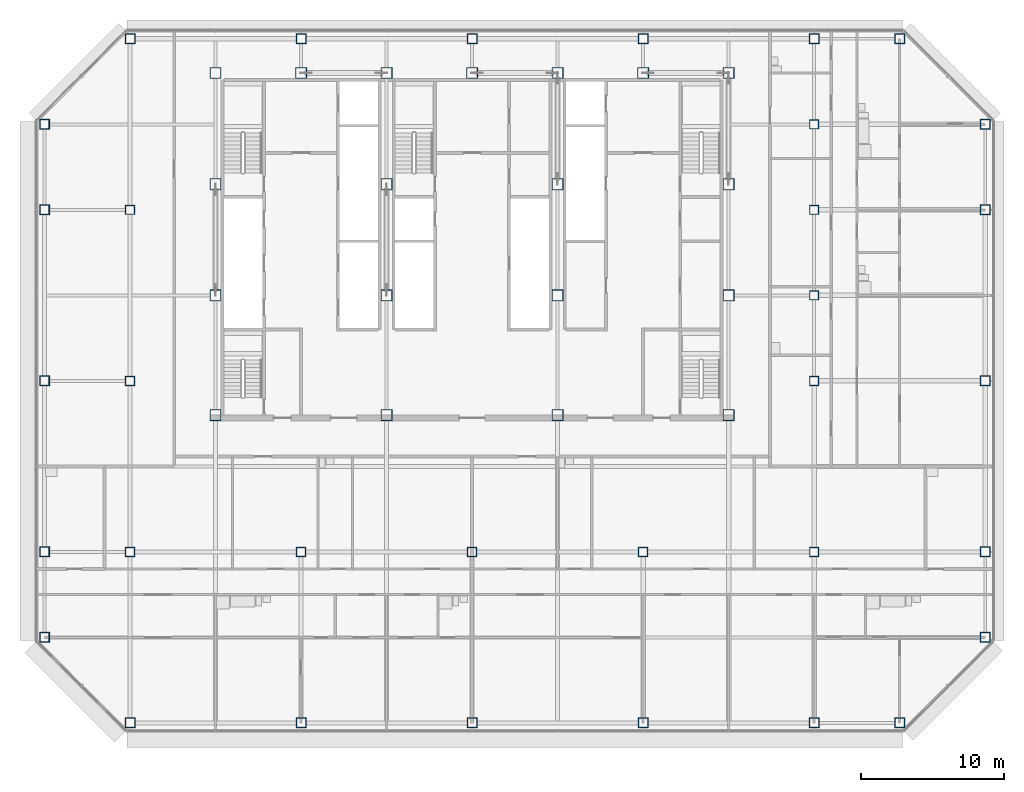
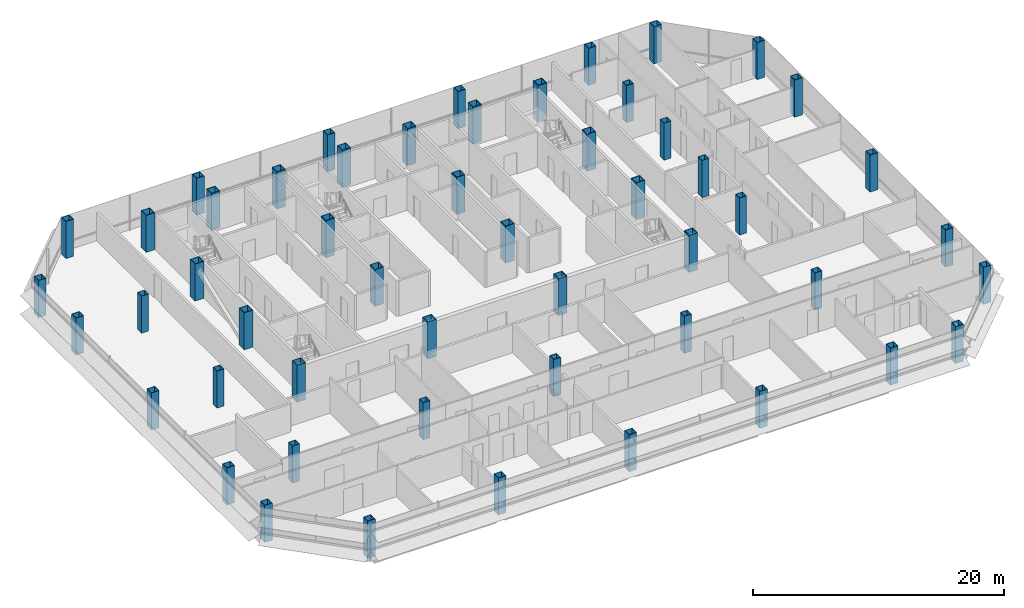
# One storey, part 1 of 26: 52 columns.
"""IFC4 building model written with IfcOpenShell, lengths in metres."""

from ifc_helpers import new_model, si_unit, direction, frame, origin, origin_2d, place, context, subcontext, project, spatial, hollow_rectangle, extrude, material, material_profile, profile_set, type_object, element, save


model = new_model("IFC4")

# Units and contexts
model_context = context("Model", 3, precision=1e-05, world=origin(), true_north=direction((0.0, 1.0)))
body_context = subcontext(model_context, "Body", "Model", "MODEL_VIEW")
ifc_project = project(units=[si_unit("LENGTHUNIT", "METRE"), si_unit("AREAUNIT", "SQUARE_METRE"), si_unit("VOLUMEUNIT", "CUBIC_METRE"), si_unit("PLANEANGLEUNIT", "RADIAN"), si_unit("MASSUNIT", "GRAM", prefix="KILO")], contexts=[model_context])

# Site, building, storey
site_placement = place(None, origin())
site = spatial("IfcSite", under=ifc_project, at=site_placement, CompositionType="ELEMENT")
building_placement = place(site_placement, origin())
building = spatial("IfcBuilding", under=site, at=building_placement, Name="Sorahane Residences", CompositionType="ELEMENT")
storey_placement = place(building_placement, frame((0.0, 0.0, 151.0)))
storey = spatial("IfcBuildingStorey", under=building, at=storey_placement, Name="L34", CompositionType="ELEMENT", Elevation=151.0)

# Columns
ifc_material_1 = material(Name="Steel Q355B", Category="steel")
ifc_material_profile_1 = material_profile(ifc_material_1, hollow_rectangle(XDim=0.64990234375, YDim=0.64990234375, WallThickness=0.031982421875, at=origin_2d()), Name="BOX 650x650x32")
ifc_profile_set_1 = profile_set([ifc_material_profile_1], Name="Steel Q355B")
column_type_1 = type_object("IfcColumnType", Name="Steel box column BOX 650x650x32 Q355B", PredefinedType="COLUMN", material=ifc_profile_set_1)
for number, where, z_axis, x_axis, name in (
    (1, (0.0, 12.0, 0.0), (0.0, 0.0, 1.0), (1.0, 0.0, 0.0), "Column L34 0/12"),
    (2, (0.0, 24.0, 0.0), (0.0, 0.0, 1.0), (1.0, 0.0, 0.0), "Column L34 0/24"),
    (3, (0.0, 36.0, 0.0), (0.0, 0.0, 1.0), (1.0, 0.0, 0.0), "Column L34 0/36"),
    (4, (12.0, 12.0, 0.0), (0.0, 0.0, 1.0), (1.0, 0.0, 0.0), "Column L34 12/12"),
    (5, (24.0, 12.0, 0.0), (0.0, 0.0, 1.0), (1.0, 0.0, 0.0), "Column L34 24/12"),
    (6, (36.0, 12.0, 0.0), (0.0, 0.0, 1.0), (1.0, 0.0, 0.0), "Column L34 36/12"),
    (7, (48.0, 12.0, 0.0), (0.0, 0.0, 1.0), (1.0, 0.0, 0.0), "Column L34 48/12"),
    (8, (48.0, 24.0, 0.0), (0.0, 0.0, 1.0), (1.0, 0.0, 0.0), "Column L34 48/24"),
    (9, (48.0, 30.0, 0.0), (0.0, 0.0, 1.0), (1.0, 0.0, 0.0), "Column L34 48/30"),
    (10, (48.0, 36.0, 0.0), (0.0, 0.0, 1.0), (1.0, 0.0, 0.0), "Column L34 48/36"),
    (11, (48.0, 42.0, 0.0), (0.0, 0.0, 1.0), (1.0, 0.0, 0.0), "Column L34 48/42"),
):
    element("IfcColumn", number, at=place(storey_placement, frame(where, z_axis=z_axis, x_axis=x_axis)), inside=storey, type_object=column_type_1, Name=name, PredefinedType="COLUMN", context=body_context, shape_type="SweptSolid", body=[
        extrude(hollow_rectangle(XDim=0.64990234375, YDim=0.64990234375, WallThickness=0.031982421875, at=origin_2d()), origin(), (0.0, 0.0, 1.0), 3.60009765625),
    ])
ifc_material_2 = material(Name="Steel Q355B", Category="steel")
ifc_material_profile_2 = material_profile(ifc_material_2, hollow_rectangle(XDim=0.699951171875, YDim=0.699951171875, WallThickness=0.035888671875, at=origin_2d()), Name="BOX 700x700x36")
ifc_profile_set_2 = profile_set([ifc_material_profile_2], Name="Steel Q355B")
column_type_2 = type_object("IfcColumnType", Name="Steel box column BOX 700x700x36 Q355B", PredefinedType="COLUMN", material=ifc_profile_set_2)
for number, where, z_axis, x_axis, name in (
    (12, (-6.0, 6.0, 0.0), (0.0, 0.0, 1.0), (1.0, 0.0, 0.0), "Column L34 m6/6"),
    (13, (-6.0, 12.0, 0.0), (0.0, 0.0, 1.0), (1.0, 0.0, 0.0), "Column L34 m6/12"),
    (14, (-6.0, 24.0, 0.0), (0.0, 0.0, 1.0), (1.0, 0.0, 0.0), "Column L34 m6/24"),
    (15, (-6.0, 36.0, 0.0), (0.0, 0.0, 1.0), (1.0, 0.0, 0.0), "Column L34 m6/36"),
    (16, (-6.0, 42.0, 0.0), (0.0, 0.0, 1.0), (1.0, 0.0, 0.0), "Column L34 m6/42"),
    (17, (0.0, 0.0, 0.0), (0.0, 0.0, 1.0), (1.0, 0.0, 0.0), "Column L34 0/0"),
    (18, (0.0, 48.0, 0.0), (0.0, 0.0, 1.0), (1.0, 0.0, 0.0), "Column L34 0/48"),
    (19, (12.0, 0.0, 0.0), (0.0, 0.0, 1.0), (1.0, 0.0, 0.0), "Column L34 12/0"),
    (20, (12.0, 48.0, 0.0), (0.0, 0.0, 1.0), (1.0, 0.0, 0.0), "Column L34 12/48"),
    (21, (24.0, 0.0, 0.0), (0.0, 0.0, 1.0), (1.0, 0.0, 0.0), "Column L34 24/0"),
    (22, (24.0, 48.0, 0.0), (0.0, 0.0, 1.0), (1.0, 0.0, 0.0), "Column L34 24/48"),
    (23, (36.0, 0.0, 0.0), (0.0, 0.0, 1.0), (1.0, 0.0, 0.0), "Column L34 36/0"),
    (24, (36.0, 48.0, 0.0), (0.0, 0.0, 1.0), (1.0, 0.0, 0.0), "Column L34 36/48"),
    (25, (48.0, 0.0, 0.0), (0.0, 0.0, 1.0), (1.0, 0.0, 0.0), "Column L34 48/0"),
    (26, (48.0, 48.0, 0.0), (0.0, 0.0, 1.0), (1.0, 0.0, 0.0), "Column L34 48/48"),
    (27, (54.0, 0.0, 0.0), (0.0, 0.0, 1.0), (1.0, 0.0, 0.0), "Column L34 54/0"),
    (28, (54.0, 48.0, 0.0), (0.0, 0.0, 1.0), (1.0, 0.0, 0.0), "Column L34 54/48"),
    (29, (60.0, 6.0, 0.0), (0.0, 0.0, 1.0), (1.0, 0.0, 0.0), "Column L34 60/6"),
    (30, (60.0, 12.0, 0.0), (0.0, 0.0, 1.0), (1.0, 0.0, 0.0), "Column L34 60/12"),
    (31, (60.0, 24.0, 0.0), (0.0, 0.0, 1.0), (1.0, 0.0, 0.0), "Column L34 60/24"),
    (32, (60.0, 36.0, 0.0), (0.0, 0.0, 1.0), (1.0, 0.0, 0.0), "Column L34 60/36"),
    (33, (60.0, 42.0, 0.0), (0.0, 0.0, 1.0), (1.0, 0.0, 0.0), "Column L34 60/42"),
):
    element("IfcColumn", number, at=place(storey_placement, frame(where, z_axis=z_axis, x_axis=x_axis)), inside=storey, type_object=column_type_2, Name=name, PredefinedType="COLUMN", context=body_context, shape_type="SweptSolid", body=[
        extrude(hollow_rectangle(XDim=0.699951171875, YDim=0.699951171875, WallThickness=0.035888671875, at=origin_2d()), origin(), (0.0, 0.0, 1.0), 3.60009765625),
    ])
ifc_material_3 = material(Name="Steel Q420GJ", Category="steel")
ifc_material_profile_3 = material_profile(ifc_material_3, hollow_rectangle(XDim=0.800048828125, YDim=0.800048828125, WallThickness=0.044921875, at=origin_2d()), Name="BOX 800x800x45")
ifc_profile_set_3 = profile_set([ifc_material_profile_3], Name="Steel Q420GJ")
column_type_3 = type_object("IfcColumnType", Name="Steel box column BOX 800x800x45 Q420GJ", PredefinedType="COLUMN", material=ifc_profile_set_3)
for number, where, z_axis, x_axis, name in (
    (34, (6.0, 21.60009765625, 0.0), (0.0, 0.0, 1.0), (1.0, 0.0, 0.0), "Column L34 6/21.6"),
    (35, (6.0, 30.0, 0.0), (0.0, 0.0, 1.0), (1.0, 0.0, 0.0), "Column L34 6/30"),
    (36, (6.0, 37.800048828125, 0.0), (0.0, 0.0, 1.0), (1.0, 0.0, 0.0), "Column L34 6/37.8"),
    (37, (6.0, 45.60009765625, 0.0), (0.0, 0.0, 1.0), (1.0, 0.0, 0.0), "Column L34 6/45.6"),
    (38, (12.0, 45.60009765625, 0.0), (0.0, 0.0, 1.0), (1.0, 0.0, 0.0), "Column L34 12/45.6"),
    (39, (18.0, 21.60009765625, 0.0), (0.0, 0.0, 1.0), (1.0, 0.0, 0.0), "Column L34 18/21.6"),
    (40, (18.0, 30.0, 0.0), (0.0, 0.0, 1.0), (1.0, 0.0, 0.0), "Column L34 18/30"),
    (41, (18.0, 37.800048828125, 0.0), (0.0, 0.0, 1.0), (1.0, 0.0, 0.0), "Column L34 18/37.8"),
    (42, (18.0, 45.60009765625, 0.0), (0.0, 0.0, 1.0), (1.0, 0.0, 0.0), "Column L34 18/45.6"),
    (43, (24.0, 45.60009765625, 0.0), (0.0, 0.0, 1.0), (1.0, 0.0, 0.0), "Column L34 24/45.6"),
    (44, (30.0, 21.60009765625, 0.0), (0.0, 0.0, 1.0), (1.0, 0.0, 0.0), "Column L34 30/21.6"),
    (45, (30.0, 30.0, 0.0), (0.0, 0.0, 1.0), (1.0, 0.0, 0.0), "Column L34 30/30"),
    (46, (30.0, 37.800048828125, 0.0), (0.0, 0.0, 1.0), (1.0, 0.0, 0.0), "Column L34 30/37.8"),
    (47, (30.0, 45.60009765625, 0.0), (0.0, 0.0, 1.0), (1.0, 0.0, 0.0), "Column L34 30/45.6"),
    (48, (36.0, 45.60009765625, 0.0), (0.0, 0.0, 1.0), (1.0, 0.0, 0.0), "Column L34 36/45.6"),
    (49, (42.0, 21.60009765625, 0.0), (0.0, 0.0, 1.0), (1.0, 0.0, 0.0), "Column L34 42/21.6"),
    (50, (42.0, 30.0, 0.0), (0.0, 0.0, 1.0), (1.0, 0.0, 0.0), "Column L34 42/30"),
    (51, (42.0, 37.800048828125, 0.0), (0.0, 0.0, 1.0), (1.0, 0.0, 0.0), "Column L34 42/37.8"),
    (52, (42.0, 45.60009765625, 0.0), (0.0, 0.0, 1.0), (1.0, 0.0, 0.0), "Column L34 42/45.6"),
):
    element("IfcColumn", number, at=place(storey_placement, frame(where, z_axis=z_axis, x_axis=x_axis)), inside=storey, type_object=column_type_3, Name=name, PredefinedType="COLUMN", context=body_context, shape_type="SweptSolid", body=[
        extrude(hollow_rectangle(XDim=0.800048828125, YDim=0.800048828125, WallThickness=0.044921875, at=origin_2d()), origin(), (0.0, 0.0, 1.0), 3.60009765625),
    ])

save(model, "model.ifc")
